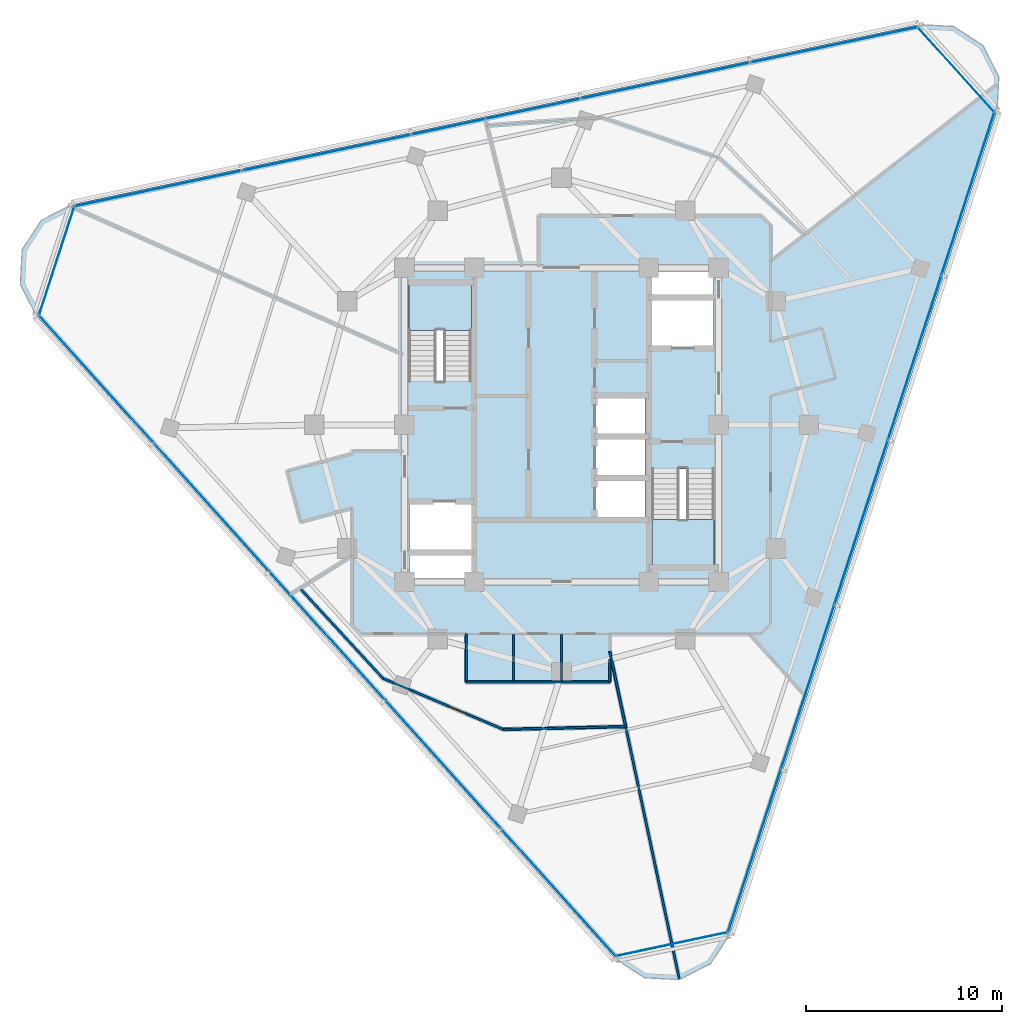
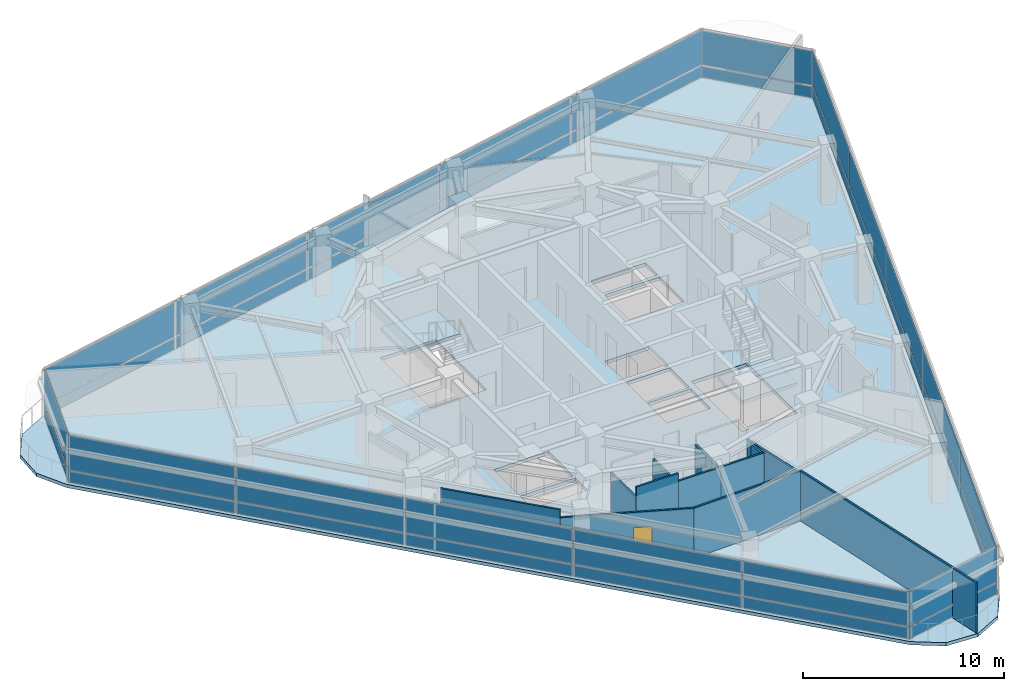
# One storey, part 7 of 15: 36 plates, 12 walls, 3 slabs, 1 door, 1 opening, 8 elements without a shape of their own.
"""IFC4 building model written with IfcOpenShell, lengths in metres."""

from ifc_helpers import new_model, si_unit, direction, frame, frame_2d, origin, origin_2d, place, context, subcontext, project, spatial, polyline, rectangle, outline, extrude, material, layer, layer_set, type_object, element, fill, aggregate, save


model = new_model("IFC4")

# Units and contexts
model_context = context("Model", 3, precision=1e-05, world=origin(), true_north=direction((0.0, 1.0)))
body_context = subcontext(model_context, "Body", "Model", "MODEL_VIEW")
ifc_project = project(units=[si_unit("LENGTHUNIT", "METRE"), si_unit("AREAUNIT", "SQUARE_METRE"), si_unit("VOLUMEUNIT", "CUBIC_METRE"), si_unit("PLANEANGLEUNIT", "RADIAN"), si_unit("MASSUNIT", "GRAM", prefix="KILO")], contexts=[model_context])

# Site, building, storey
site_placement = place(None, origin())
site = spatial("IfcSite", under=ifc_project, at=site_placement, CompositionType="ELEMENT")
building_placement = place(site_placement, origin())
building = spatial("IfcBuilding", under=site, at=building_placement, Name="Terralouvre Media Tower", CompositionType="ELEMENT")
storey_placement = place(building_placement, frame((0.0, 0.0, 283.199951171875)))
storey = spatial("IfcBuildingStorey", under=building, at=storey_placement, Name="L73", CompositionType="ELEMENT", Elevation=283.199951171875)

# Slab
ifc_material_1 = material(Name="Concrete C40/50", Category="concrete")
ifc_layer_1 = layer(ifc_material_1, 0.199951171875, Name="Composite Tower Floor Slab S-TYP200")
ifc_layer_set_1 = layer_set([ifc_layer_1], Name="Concrete C40/50")
slab_type_1 = type_object("IfcSlabType", Name="Composite Tower Floor Slab S-TYP200", PredefinedType="FLOOR", material=ifc_layer_set_1)
slab_1_placement = place(storey_placement, frame((0.0, 0.0, -0.199951171875), z_axis=(0.0, 0.0, 1.0), x_axis=(0.309016994375, 0.951056516295, 0.0)))
element("IfcSlab", 1, at=slab_1_placement, inside=storey, type_object=slab_type_1, Name="L73 Structural Floor Slab", PredefinedType="FLOOR", context=body_context, shape_type="SweptSolid", body=[
    extrude(outline(polyline([(-25.0390625, -11.016357421875), (-25.5, -12.736328125), (-25.0390625, -14.456298828125), (-23.780029296875, -15.715576171875), (-22.06005859375, -16.17626953125), (22.06005859375, -16.17626953125), (23.780029296875, -15.715576171875), (25.0390625, -14.456298828125), (25.5, -12.736328125), (25.0390625, -11.016357421875), (2.97900390625, 27.192626953125), (1.719970703125, 28.451904296875), (0.0, 28.91259765625), (-1.719970703125, 28.451904296875), (-2.97900390625, 27.192626953125), (-25.0390625, -11.016357421875)]), holes=[polyline([(-7.698486328125, 2.33544921875), (-8.839599609375, 1.964599609375), (-9.813232421875, 4.96044921875), (-8.671875, 5.3310546875), (-7.698486328125, 2.33544921875)]), polyline([(-5.17822265625, 3.154296875), (-7.50830078125, 2.397216796875), (-8.481689453125, 5.39306640625), (-6.151611328125, 6.150146484375), (-5.17822265625, 3.154296875)]), polyline([(-5.483154296875, -6.618408203125), (-0.713623046875, -5.068603515625), (0.26904296875, -8.093017578125), (-4.50048828125, -9.642578125), (-5.483154296875, -6.618408203125)]), polyline([(-1.33056640625, -4.901123046875), (-3.17578125, -5.50048828125), (-3.9482421875, -3.122802734375), (-2.103271484375, -2.5234375), (-1.33056640625, -4.901123046875)]), polyline([(0.66650390625, -4.252197265625), (-1.178466796875, -4.8515625), (-1.950927734375, -2.473876953125), (-0.10595703125, -1.87451171875), (0.66650390625, -4.252197265625)]), polyline([(2.663818359375, -3.603271484375), (0.81884765625, -4.20263671875), (0.046142578125, -1.824951171875), (1.891357421875, -1.2255859375), (2.663818359375, -3.603271484375)]), polyline([(5.483154296875, 6.618408203125), (0.713623046875, 5.068603515625), (-0.26904296875, 8.093017578125), (4.50048828125, 9.642578125), (5.483154296875, 6.618408203125)]), polyline([(6.151611328125, -6.150146484375), (5.17822265625, -3.154296875), (7.50830078125, -2.397216796875), (8.481689453125, -5.39306640625), (6.151611328125, -6.150146484375)]), polyline([(8.671875, -5.3310546875), (7.698486328125, -2.33544921875), (8.839599609375, -1.964599609375), (9.813232421875, -4.96044921875), (8.671875, -5.3310546875)])]), origin(), (0.0, 0.0, 1.0), 0.199951171875),
])

# Stair, slab
ifc_material_2 = material(Name="Concrete C45/55", Category="concrete")
stair_type_1 = type_object("IfcStairType", Name="Dogleg Stair Assembly ST-01", PredefinedType="HALF_TURN_STAIR", material=ifc_material_2)
stair_1_placement = place(storey_placement, origin())
stair_1 = element("IfcStair", 2, at=stair_1_placement, inside=storey, type_object=stair_type_1, Name="L73 Core Pressurised Exit Stair ST-01", PredefinedType="HALF_TURN_STAIR")
ifc_material_3 = material(Name="Concrete C45/55", Category="concrete")
ifc_layer_2 = layer(ifc_material_3, 0.199951171875, Name="Reinforced Concrete Stair Half-Landing SL-LD1")
ifc_layer_set_2 = layer_set([ifc_layer_2], Name="Concrete C45/55")
slab_type_2 = type_object("IfcSlabType", Name="Reinforced Concrete Stair Half-Landing SL-LD1", PredefinedType="LANDING", material=ifc_layer_set_2)
slab_2_placement = place(storey_placement, frame((0.0, 0.0, 1.650146484375)))
slab_2 = element("IfcSlab", 3, at=slab_2_placement, type_object=slab_type_2, Name="ST-01 landing 1", PredefinedType="LANDING", context=body_context, shape_type="SweptSolid", body=[
    extrude(outline(polyline([(-4.60009765625, 4.820068359375), (-4.60009765625, 7.260009765625), (-7.780029296875, 7.260009765625), (-7.780029296875, 4.820068359375), (-4.60009765625, 4.820068359375)])), origin(), (0.0, 0.0, 1.0), 0.199951171875),
])
aggregate(stair_1, [slab_2])

ifc_material_4 = material(Name="Concrete C45/55", Category="concrete")
stair_type_2 = type_object("IfcStairType", Name="Dogleg Stair Assembly ST-02", PredefinedType="HALF_TURN_STAIR", material=ifc_material_4)
stair_2_placement = place(storey_placement, origin())
stair_2 = element("IfcStair", 4, at=stair_2_placement, inside=storey, type_object=stair_type_2, Name="L73 Core Pressurised Exit Stair ST-02", PredefinedType="HALF_TURN_STAIR")
slab_3_placement = place(storey_placement, frame((0.0, 0.0, 1.650146484375)))
slab_3 = element("IfcSlab", 5, at=slab_3_placement, type_object=slab_type_2, Name="ST-02 landing 1", PredefinedType="LANDING", context=body_context, shape_type="SweptSolid", body=[
    extrude(outline(polyline([(4.60009765625, -4.820068359375), (4.60009765625, -7.260009765625), (7.780029296875, -7.260009765625), (7.780029296875, -4.820068359375), (4.60009765625, -4.820068359375)])), origin(), (0.0, 0.0, 1.0), 0.199951171875),
])
aggregate(stair_2, [slab_3])

# Curtain wall, plates
ifc_material_5 = material(Name="Low-iron laminated double glazing with solar-control coating", Category="glass")
ifc_layer_3 = layer(ifc_material_5, 0.1650390625, Name="Rounded Wind-Corner Curved Glazing CW-04")
ifc_layer_set_3 = layer_set([ifc_layer_3], Name="Low-iron laminated double glazing with solar-control coating")
curtain_wall_type_1 = type_object("IfcCurtainWallType", Name="Rounded Wind-Corner Curved Glazing CW-04", PredefinedType="NOTDEFINED", material=ifc_layer_set_3)
curtain_wall_1_placement = place(storey_placement, origin())
curtain_wall_1 = element("IfcCurtainWall", 6, at=curtain_wall_1_placement, inside=storey, type_object=curtain_wall_type_1, Name="L73 Rounded Wind-Corner Curtain Wall C0", PredefinedType="NOTDEFINED")
ifc_material_6 = material(Name="Low-iron laminated double glazing with solar-control coating", Category="glass")
ifc_layer_4 = layer(ifc_material_6, 0.0400390625, Name="Rounded Corner Laminated Vision Panel CWP-03")
ifc_layer_set_4 = layer_set([ifc_layer_4], Name="Low-iron laminated double glazing with solar-control coating")
plate_type_1 = type_object("IfcPlateType", Name="Rounded Corner Laminated Vision Panel CWP-03", PredefinedType="CURTAIN_PANEL", material=ifc_layer_set_4)
plate_1_placement = place(storey_placement, frame((5.62451171875, -26.46142578125, 0.074951171875), z_axis=(0.0, 0.0, 1.0), x_axis=(0.978147609922, 0.207911647592, 0.0)))
plate_1 = element("IfcPlate", 7, at=plate_1_placement, type_object=plate_type_1, Name="CW-04 panel 1.1", PredefinedType="CURTAIN_PANEL", context=body_context, shape_type="SweptSolid", body=[
    extrude(rectangle(XDim=5.808349609375, YDim=0.035888671875, at=origin_2d()), origin(), (0.0, 0.0, 1.0), 0.6875),
])
plate_2_placement = place(storey_placement, frame((5.62451171875, -26.46142578125, 0.837646484375), z_axis=(0.0, 0.0, 1.0), x_axis=(0.978147609922, 0.207911647592, 0.0)))
plate_2 = element("IfcPlate", 8, at=plate_2_placement, type_object=plate_type_1, Name="CW-04 panel 1.2", PredefinedType="CURTAIN_PANEL", context=body_context, shape_type="SweptSolid", body=[
    extrude(rectangle(XDim=5.808349609375, YDim=0.035888671875, at=origin_2d()), origin(), (0.0, 0.0, 1.0), 2.08740234375),
])
aggregate(curtain_wall_1, [plate_1, plate_2])

curtain_wall_2_placement = place(storey_placement, origin())
curtain_wall_2 = element("IfcCurtainWall", 9, at=curtain_wall_2_placement, inside=storey, type_object=curtain_wall_type_1, Name="L73 Rounded Wind-Corner Curtain Wall C1", PredefinedType="NOTDEFINED")
plate_3_placement = place(storey_placement, frame((20.10400390625, 18.101806640625, 0.074951171875), z_axis=(0.0, 0.0, 1.0), x_axis=(-0.669130231192, 0.743145163279, 0.0)))
plate_3 = element("IfcPlate", 10, at=plate_3_placement, type_object=plate_type_1, Name="CW-04 panel 1.1", PredefinedType="CURTAIN_PANEL", context=body_context, shape_type="SweptSolid", body=[
    extrude(rectangle(XDim=5.808349609375, YDim=0.035888671875, at=origin_2d()), origin(), (0.0, 0.0, 1.0), 0.6875),
])
plate_4_placement = place(storey_placement, frame((20.10400390625, 18.101806640625, 0.837646484375), z_axis=(0.0, 0.0, 1.0), x_axis=(-0.669130231192, 0.743145163279, 0.0)))
plate_4 = element("IfcPlate", 11, at=plate_4_placement, type_object=plate_type_1, Name="CW-04 panel 1.2", PredefinedType="CURTAIN_PANEL", context=body_context, shape_type="SweptSolid", body=[
    extrude(rectangle(XDim=5.808349609375, YDim=0.035888671875, at=origin_2d()), origin(), (0.0, 0.0, 1.0), 2.08740234375),
])
aggregate(curtain_wall_2, [plate_3, plate_4])

curtain_wall_3_placement = place(storey_placement, origin())
curtain_wall_3 = element("IfcCurtainWall", 12, at=curtain_wall_3_placement, inside=storey, type_object=curtain_wall_type_1, Name="L73 Rounded Wind-Corner Curtain Wall C2", PredefinedType="NOTDEFINED")
plate_5_placement = place(storey_placement, frame((-25.728759765625, 8.359619140625, 0.074951171875), z_axis=(0.0, 0.0, 1.0), x_axis=(-0.30901654693, -0.951056661679, 0.0)))
plate_5 = element("IfcPlate", 13, at=plate_5_placement, type_object=plate_type_1, Name="CW-04 panel 1.1", PredefinedType="CURTAIN_PANEL", context=body_context, shape_type="SweptSolid", body=[
    extrude(rectangle(XDim=5.808349609375, YDim=0.035888671875, at=origin_2d()), origin(), (0.0, 0.0, 1.0), 0.6875),
])
plate_6_placement = place(storey_placement, frame((-25.728759765625, 8.359619140625, 0.837646484375), z_axis=(0.0, 0.0, 1.0), x_axis=(-0.30901654693, -0.951056661679, 0.0)))
plate_6 = element("IfcPlate", 14, at=plate_6_placement, type_object=plate_type_1, Name="CW-04 panel 1.2", PredefinedType="CURTAIN_PANEL", context=body_context, shape_type="SweptSolid", body=[
    extrude(rectangle(XDim=5.808349609375, YDim=0.035888671875, at=origin_2d()), origin(), (0.0, 0.0, 1.0), 2.08740234375),
])
aggregate(curtain_wall_3, [plate_5, plate_6])

ifc_material_7 = material(Name="Low-iron laminated double glazing with solar-control coating", Category="glass")
ifc_layer_5 = layer(ifc_material_7, 0.1650390625, Name="Faceted Glass-Point Crown Curtain Wall CW-06")
ifc_layer_set_5 = layer_set([ifc_layer_5], Name="Low-iron laminated double glazing with solar-control coating")
curtain_wall_type_2 = type_object("IfcCurtainWallType", Name="Faceted Glass-Point Crown Curtain Wall CW-06", PredefinedType="NOTDEFINED", material=ifc_layer_set_5)
curtain_wall_4_placement = place(storey_placement, origin())
curtain_wall_4 = element("IfcCurtainWall", 15, at=curtain_wall_4_placement, inside=storey, type_object=curtain_wall_type_2, Name="L73 Facade Curtain Wall F0", PredefinedType="NOTDEFINED")
ifc_material_8 = material(Name="Low-iron laminated double glazing with solar-control coating", Category="glass")
ifc_layer_6 = layer(ifc_material_8, 0.035888671875, Name="Vision Double-Glazed Unit CWP-01")
ifc_layer_set_6 = layer_set([ifc_layer_6], Name="Low-iron laminated double glazing with solar-control coating")
plate_type_2 = type_object("IfcPlateType", Name="Vision Double-Glazed Unit CWP-01", PredefinedType="CURTAIN_PANEL", material=ifc_layer_set_6)
plate_7_placement = place(storey_placement, frame((9.82275390625, -21.72802734375, 0.074951171875), z_axis=(0.0, 0.0, 1.0), x_axis=(0.309017021946, 0.951056507337, 0.0)))
plate_7 = element("IfcPlate", 16, at=plate_7_placement, type_object=plate_type_2, Name="CW-06 panel 1.1", PredefinedType="CURTAIN_PANEL", context=body_context, shape_type="SweptSolid", body=[
    extrude(rectangle(XDim=8.71142578125, YDim=0.035888671875, at=origin_2d()), origin(), (0.0, 0.0, 1.0), 0.6875),
])
plate_8_placement = place(storey_placement, frame((9.82275390625, -21.72802734375, 0.837646484375), z_axis=(0.0, 0.0, 1.0), x_axis=(0.309017021946, 0.951056507337, 0.0)))
plate_8 = element("IfcPlate", 17, at=plate_8_placement, type_object=plate_type_2, Name="CW-06 panel 1.2", PredefinedType="CURTAIN_PANEL", context=body_context, shape_type="SweptSolid", body=[
    extrude(rectangle(XDim=8.71142578125, YDim=0.035888671875, at=origin_2d()), origin(), (0.0, 0.0, 1.0), 2.08740234375),
])
plate_9_placement = place(storey_placement, frame((12.543701171875, -13.353759765625, 0.074951171875), z_axis=(0.0, 0.0, 1.0), x_axis=(0.309017021946, 0.951056507337, 0.0)))
plate_9 = element("IfcPlate", 18, at=plate_9_placement, type_object=plate_type_2, Name="CW-06 panel 2.1", PredefinedType="CURTAIN_PANEL", context=body_context, shape_type="SweptSolid", body=[
    extrude(rectangle(XDim=8.7490234375, YDim=0.035888671875, at=origin_2d()), origin(), (0.0, 0.0, 1.0), 0.6875),
])
plate_10_placement = place(storey_placement, frame((12.543701171875, -13.353759765625, 0.837646484375), z_axis=(0.0, 0.0, 1.0), x_axis=(0.309017021946, 0.951056507337, 0.0)))
plate_10 = element("IfcPlate", 19, at=plate_10_placement, type_object=plate_type_2, Name="CW-06 panel 2.2", PredefinedType="CURTAIN_PANEL", context=body_context, shape_type="SweptSolid", body=[
    extrude(rectangle(XDim=8.7490234375, YDim=0.035888671875, at=origin_2d()), origin(), (0.0, 0.0, 1.0), 2.08740234375),
])
plate_11_placement = place(storey_placement, frame((15.2705078125, -4.961669921875, 0.074951171875), z_axis=(0.0, 0.0, 1.0), x_axis=(0.309017021946, 0.951056507337, 0.0)))
plate_11 = element("IfcPlate", 20, at=plate_11_placement, type_object=plate_type_2, Name="CW-06 panel 3.1", PredefinedType="CURTAIN_PANEL", context=body_context, shape_type="SweptSolid", body=[
    extrude(rectangle(XDim=8.7490234375, YDim=0.035888671875, at=origin_2d()), origin(), (0.0, 0.0, 1.0), 0.6875),
])
plate_12_placement = place(storey_placement, frame((15.2705078125, -4.961669921875, 0.837646484375), z_axis=(0.0, 0.0, 1.0), x_axis=(0.309017021946, 0.951056507337, 0.0)))
plate_12 = element("IfcPlate", 21, at=plate_12_placement, type_object=plate_type_2, Name="CW-06 panel 3.2", PredefinedType="CURTAIN_PANEL", context=body_context, shape_type="SweptSolid", body=[
    extrude(rectangle(XDim=8.7490234375, YDim=0.035888671875, at=origin_2d()), origin(), (0.0, 0.0, 1.0), 2.08740234375),
])
plate_13_placement = place(storey_placement, frame((17.997314453125, 3.430419921875, 0.074951171875), z_axis=(0.0, 0.0, 1.0), x_axis=(0.309017021946, 0.951056507337, 0.0)))
plate_13 = element("IfcPlate", 22, at=plate_13_placement, type_object=plate_type_2, Name="CW-06 panel 4.1", PredefinedType="CURTAIN_PANEL", context=body_context, shape_type="SweptSolid", body=[
    extrude(rectangle(XDim=8.7490234375, YDim=0.035888671875, at=origin_2d()), origin(), (0.0, 0.0, 1.0), 0.6875),
])
plate_14_placement = place(storey_placement, frame((17.997314453125, 3.430419921875, 0.837646484375), z_axis=(0.0, 0.0, 1.0), x_axis=(0.309017021946, 0.951056507337, 0.0)))
plate_14 = element("IfcPlate", 23, at=plate_14_placement, type_object=plate_type_2, Name="CW-06 panel 4.2", PredefinedType="CURTAIN_PANEL", context=body_context, shape_type="SweptSolid", body=[
    extrude(rectangle(XDim=8.7490234375, YDim=0.035888671875, at=origin_2d()), origin(), (0.0, 0.0, 1.0), 2.08740234375),
])
plate_15_placement = place(storey_placement, frame((20.71826171875, 11.8046875, 0.074951171875), z_axis=(0.0, 0.0, 1.0), x_axis=(0.309017021946, 0.951056507337, 0.0)))
plate_15 = element("IfcPlate", 24, at=plate_15_placement, type_object=plate_type_2, Name="CW-06 panel 5.1", PredefinedType="CURTAIN_PANEL", context=body_context, shape_type="SweptSolid", body=[
    extrude(rectangle(XDim=8.71142578125, YDim=0.035888671875, at=origin_2d()), origin(), (0.0, 0.0, 1.0), 0.6875),
])
plate_16_placement = place(storey_placement, frame((20.71826171875, 11.8046875, 0.837646484375), z_axis=(0.0, 0.0, 1.0), x_axis=(0.309017021946, 0.951056507337, 0.0)))
plate_16 = element("IfcPlate", 25, at=plate_16_placement, type_object=plate_type_2, Name="CW-06 panel 5.2", PredefinedType="CURTAIN_PANEL", context=body_context, shape_type="SweptSolid", body=[
    extrude(rectangle(XDim=8.71142578125, YDim=0.035888671875, at=origin_2d()), origin(), (0.0, 0.0, 1.0), 2.08740234375),
])
aggregate(curtain_wall_4, [plate_7, plate_8, plate_9, plate_10, plate_11, plate_12, plate_13, plate_14, plate_15, plate_16])

curtain_wall_5_placement = place(storey_placement, origin())
curtain_wall_5 = element("IfcCurtainWall", 26, at=curtain_wall_5_placement, inside=storey, type_object=curtain_wall_type_2, Name="L73 Facade Curtain Wall F1", PredefinedType="NOTDEFINED")
plate_17_placement = place(storey_placement, frame((13.90576171875, 19.370849609375, 0.074951171875), z_axis=(0.0, 0.0, 1.0), x_axis=(-0.978147616145, -0.207911618313, 0.0)))
plate_17 = element("IfcPlate", 27, at=plate_17_placement, type_object=plate_type_2, Name="CW-06 panel 1.1", PredefinedType="CURTAIN_PANEL", context=body_context, shape_type="SweptSolid", body=[
    extrude(rectangle(XDim=8.71142578125, YDim=0.035888671875, at=origin_2d()), origin(), (0.0, 0.0, 1.0), 0.6875),
])
plate_18_placement = place(storey_placement, frame((13.90576171875, 19.370849609375, 0.837646484375), z_axis=(0.0, 0.0, 1.0), x_axis=(-0.978147616145, -0.207911618313, 0.0)))
plate_18 = element("IfcPlate", 28, at=plate_18_placement, type_object=plate_type_2, Name="CW-06 panel 1.2", PredefinedType="CURTAIN_PANEL", context=body_context, shape_type="SweptSolid", body=[
    extrude(rectangle(XDim=8.71142578125, YDim=0.035888671875, at=origin_2d()), origin(), (0.0, 0.0, 1.0), 2.08740234375),
])
plate_19_placement = place(storey_placement, frame((5.29296875, 17.5400390625, 0.074951171875), z_axis=(0.0, 0.0, 1.0), x_axis=(-0.978147616145, -0.207911618313, 0.0)))
plate_19 = element("IfcPlate", 29, at=plate_19_placement, type_object=plate_type_2, Name="CW-06 panel 2.1", PredefinedType="CURTAIN_PANEL", context=body_context, shape_type="SweptSolid", body=[
    extrude(rectangle(XDim=8.7490234375, YDim=0.035888671875, at=origin_2d()), origin(), (0.0, 0.0, 1.0), 0.6875),
])
plate_20_placement = place(storey_placement, frame((5.29296875, 17.5400390625, 0.837646484375), z_axis=(0.0, 0.0, 1.0), x_axis=(-0.978147616145, -0.207911618313, 0.0)))
plate_20 = element("IfcPlate", 30, at=plate_20_placement, type_object=plate_type_2, Name="CW-06 panel 2.2", PredefinedType="CURTAIN_PANEL", context=body_context, shape_type="SweptSolid", body=[
    extrude(rectangle(XDim=8.7490234375, YDim=0.035888671875, at=origin_2d()), origin(), (0.0, 0.0, 1.0), 2.08740234375),
])
plate_21_placement = place(storey_placement, frame((-3.33837890625, 15.70556640625, 0.074951171875), z_axis=(0.0, 0.0, 1.0), x_axis=(-0.978147616145, -0.207911618313, 0.0)))
plate_21 = element("IfcPlate", 31, at=plate_21_placement, type_object=plate_type_2, Name="CW-06 panel 3.1", PredefinedType="CURTAIN_PANEL", context=body_context, shape_type="SweptSolid", body=[
    extrude(rectangle(XDim=8.7490234375, YDim=0.035888671875, at=origin_2d()), origin(), (0.0, 0.0, 1.0), 0.6875),
])
plate_22_placement = place(storey_placement, frame((-3.33837890625, 15.70556640625, 0.837646484375), z_axis=(0.0, 0.0, 1.0), x_axis=(-0.978147616145, -0.207911618313, 0.0)))
plate_22 = element("IfcPlate", 32, at=plate_22_placement, type_object=plate_type_2, Name="CW-06 panel 3.2", PredefinedType="CURTAIN_PANEL", context=body_context, shape_type="SweptSolid", body=[
    extrude(rectangle(XDim=8.7490234375, YDim=0.035888671875, at=origin_2d()), origin(), (0.0, 0.0, 1.0), 2.08740234375),
])
plate_23_placement = place(storey_placement, frame((-11.969482421875, 13.870849609375, 0.074951171875), z_axis=(0.0, 0.0, 1.0), x_axis=(-0.978147616145, -0.207911618313, 0.0)))
plate_23 = element("IfcPlate", 33, at=plate_23_placement, type_object=plate_type_2, Name="CW-06 panel 4.1", PredefinedType="CURTAIN_PANEL", context=body_context, shape_type="SweptSolid", body=[
    extrude(rectangle(XDim=8.7490234375, YDim=0.035888671875, at=origin_2d()), origin(), (0.0, 0.0, 1.0), 0.6875),
])
plate_24_placement = place(storey_placement, frame((-11.969482421875, 13.870849609375, 0.837646484375), z_axis=(0.0, 0.0, 1.0), x_axis=(-0.978147616145, -0.207911618313, 0.0)))
plate_24 = element("IfcPlate", 34, at=plate_24_placement, type_object=plate_type_2, Name="CW-06 panel 4.2", PredefinedType="CURTAIN_PANEL", context=body_context, shape_type="SweptSolid", body=[
    extrude(rectangle(XDim=8.7490234375, YDim=0.035888671875, at=origin_2d()), origin(), (0.0, 0.0, 1.0), 2.08740234375),
])
plate_25_placement = place(storey_placement, frame((-20.582275390625, 12.0400390625, 0.074951171875), z_axis=(0.0, 0.0, 1.0), x_axis=(-0.978147616145, -0.207911618313, 0.0)))
plate_25 = element("IfcPlate", 35, at=plate_25_placement, type_object=plate_type_2, Name="CW-06 panel 5.1", PredefinedType="CURTAIN_PANEL", context=body_context, shape_type="SweptSolid", body=[
    extrude(rectangle(XDim=8.71142578125, YDim=0.035888671875, at=origin_2d()), origin(), (0.0, 0.0, 1.0), 0.6875),
])
plate_26_placement = place(storey_placement, frame((-20.582275390625, 12.0400390625, 0.837646484375), z_axis=(0.0, 0.0, 1.0), x_axis=(-0.978147616145, -0.207911618313, 0.0)))
plate_26 = element("IfcPlate", 36, at=plate_26_placement, type_object=plate_type_2, Name="CW-06 panel 5.2", PredefinedType="CURTAIN_PANEL", context=body_context, shape_type="SweptSolid", body=[
    extrude(rectangle(XDim=8.71142578125, YDim=0.035888671875, at=origin_2d()), origin(), (0.0, 0.0, 1.0), 2.08740234375),
])
aggregate(curtain_wall_5, [plate_17, plate_18, plate_19, plate_20, plate_21, plate_22, plate_23, plate_24, plate_25, plate_26])

curtain_wall_6_placement = place(storey_placement, origin())
curtain_wall_6 = element("IfcCurtainWall", 37, at=curtain_wall_6_placement, inside=storey, type_object=curtain_wall_type_2, Name="L73 Facade Curtain Wall F2", PredefinedType="NOTDEFINED")
plate_27_placement = place(storey_placement, frame((-23.728515625, 2.357177734375, 0.074951171875), z_axis=(0.0, 0.0, 1.0), x_axis=(0.669130573531, -0.743144855036, 0.0)))
plate_27 = element("IfcPlate", 38, at=plate_27_placement, type_object=plate_type_2, Name="CW-06 panel 1.1", PredefinedType="CURTAIN_PANEL", context=body_context, shape_type="SweptSolid", body=[
    extrude(rectangle(XDim=8.71142578125, YDim=0.035888671875, at=origin_2d()), origin(), (0.0, 0.0, 1.0), 0.6875),
])
plate_28_placement = place(storey_placement, frame((-23.728515625, 2.357177734375, 0.837646484375), z_axis=(0.0, 0.0, 1.0), x_axis=(0.669130573531, -0.743144855036, 0.0)))
plate_28 = element("IfcPlate", 39, at=plate_28_placement, type_object=plate_type_2, Name="CW-06 panel 1.2", PredefinedType="CURTAIN_PANEL", context=body_context, shape_type="SweptSolid", body=[
    extrude(rectangle(XDim=8.71142578125, YDim=0.035888671875, at=origin_2d()), origin(), (0.0, 0.0, 1.0), 2.08740234375),
])
plate_29_placement = place(storey_placement, frame((-17.836669921875, -4.186279296875, 0.074951171875), z_axis=(0.0, 0.0, 1.0), x_axis=(0.669130573531, -0.743144855036, 0.0)))
plate_29 = element("IfcPlate", 40, at=plate_29_placement, type_object=plate_type_2, Name="CW-06 panel 2.1", PredefinedType="CURTAIN_PANEL", context=body_context, shape_type="SweptSolid", body=[
    extrude(rectangle(XDim=8.7490234375, YDim=0.035888671875, at=origin_2d()), origin(), (0.0, 0.0, 1.0), 0.6875),
])
plate_30_placement = place(storey_placement, frame((-17.836669921875, -4.186279296875, 0.837646484375), z_axis=(0.0, 0.0, 1.0), x_axis=(0.669130573531, -0.743144855036, 0.0)))
plate_30 = element("IfcPlate", 41, at=plate_30_placement, type_object=plate_type_2, Name="CW-06 panel 2.2", PredefinedType="CURTAIN_PANEL", context=body_context, shape_type="SweptSolid", body=[
    extrude(rectangle(XDim=8.7490234375, YDim=0.035888671875, at=origin_2d()), origin(), (0.0, 0.0, 1.0), 2.08740234375),
])
plate_31_placement = place(storey_placement, frame((-11.93212890625, -10.743896484375, 0.074951171875), z_axis=(0.0, 0.0, 1.0), x_axis=(0.669130573531, -0.743144855036, 0.0)))
plate_31 = element("IfcPlate", 42, at=plate_31_placement, type_object=plate_type_2, Name="CW-06 panel 3.1", PredefinedType="CURTAIN_PANEL", context=body_context, shape_type="SweptSolid", body=[
    extrude(rectangle(XDim=8.7490234375, YDim=0.035888671875, at=origin_2d()), origin(), (0.0, 0.0, 1.0), 0.6875),
])
plate_32_placement = place(storey_placement, frame((-11.93212890625, -10.743896484375, 0.837646484375), z_axis=(0.0, 0.0, 1.0), x_axis=(0.669130573531, -0.743144855036, 0.0)))
plate_32 = element("IfcPlate", 43, at=plate_32_placement, type_object=plate_type_2, Name="CW-06 panel 3.2", PredefinedType="CURTAIN_PANEL", context=body_context, shape_type="SweptSolid", body=[
    extrude(rectangle(XDim=8.7490234375, YDim=0.035888671875, at=origin_2d()), origin(), (0.0, 0.0, 1.0), 2.08740234375),
])
plate_33_placement = place(storey_placement, frame((-6.02783203125, -17.30126953125, 0.074951171875), z_axis=(0.0, 0.0, 1.0), x_axis=(0.669130573531, -0.743144855036, 0.0)))
plate_33 = element("IfcPlate", 44, at=plate_33_placement, type_object=plate_type_2, Name="CW-06 panel 4.1", PredefinedType="CURTAIN_PANEL", context=body_context, shape_type="SweptSolid", body=[
    extrude(rectangle(XDim=8.7490234375, YDim=0.035888671875, at=origin_2d()), origin(), (0.0, 0.0, 1.0), 0.6875),
])
plate_34_placement = place(storey_placement, frame((-6.02783203125, -17.30126953125, 0.837646484375), z_axis=(0.0, 0.0, 1.0), x_axis=(0.669130573531, -0.743144855036, 0.0)))
plate_34 = element("IfcPlate", 45, at=plate_34_placement, type_object=plate_type_2, Name="CW-06 panel 4.2", PredefinedType="CURTAIN_PANEL", context=body_context, shape_type="SweptSolid", body=[
    extrude(rectangle(XDim=8.7490234375, YDim=0.035888671875, at=origin_2d()), origin(), (0.0, 0.0, 1.0), 2.08740234375),
])
plate_35_placement = place(storey_placement, frame((-0.135986328125, -23.844970703125, 0.074951171875), z_axis=(0.0, 0.0, 1.0), x_axis=(0.669130573531, -0.743144855036, 0.0)))
plate_35 = element("IfcPlate", 46, at=plate_35_placement, type_object=plate_type_2, Name="CW-06 panel 5.1", PredefinedType="CURTAIN_PANEL", context=body_context, shape_type="SweptSolid", body=[
    extrude(rectangle(XDim=8.71142578125, YDim=0.035888671875, at=origin_2d()), origin(), (0.0, 0.0, 1.0), 0.6875),
])
plate_36_placement = place(storey_placement, frame((-0.135986328125, -23.844970703125, 0.837646484375), z_axis=(0.0, 0.0, 1.0), x_axis=(0.669130573531, -0.743144855036, 0.0)))
plate_36 = element("IfcPlate", 47, at=plate_36_placement, type_object=plate_type_2, Name="CW-06 panel 5.2", PredefinedType="CURTAIN_PANEL", context=body_context, shape_type="SweptSolid", body=[
    extrude(rectangle(XDim=8.71142578125, YDim=0.035888671875, at=origin_2d()), origin(), (0.0, 0.0, 1.0), 2.08740234375),
])
aggregate(curtain_wall_6, [plate_27, plate_28, plate_29, plate_30, plate_31, plate_32, plate_33, plate_34, plate_35, plate_36])

# Walls
ifc_material_9 = material(Name="Low-iron laminated double glazing with solar-control coating", Category="glass")
ifc_layer_7 = layer(ifc_material_9, 0.10009765625, Name="Demountable Glazed Office Partition PT-GL100")
ifc_layer_set_7 = layer_set([ifc_layer_7], Name="Low-iron laminated double glazing with solar-control coating")
wall_type_1 = type_object("IfcWallType", Name="Demountable Glazed Office Partition PT-GL100", PredefinedType="MOVABLE", material=ifc_layer_set_7)
wall_1_placement = place(storey_placement, frame((-2.449951171875, -13.10009765625, 0.0), z_axis=(0.0, 0.0, 1.0), x_axis=(-1.0, 0.0, 0.0)))
element("IfcWall", 48, at=wall_1_placement, inside=storey, type_object=wall_type_1, Name="L73 Interior Partition 030", PredefinedType="MOVABLE", context=body_context, shape_type="SweptSolid", body=[
    extrude(rectangle(XDim=2.400146484375, YDim=0.10009765625, at=frame_2d((1.2001953125, 0.0))), origin(), (0.0, 0.0, 1.0), 3.5),
])
wall_2_placement = place(storey_placement, frame((-4.85009765625, -13.10009765625, 0.0), z_axis=(0.0, 0.0, 1.0), x_axis=(0.0, 1.0, 0.0)))
element("IfcWall", 49, at=wall_2_placement, inside=storey, type_object=wall_type_1, Name="L73 Interior Partition 031", PredefinedType="MOVABLE", context=body_context, shape_type="SweptSolid", body=[
    extrude(rectangle(XDim=2.4501953125, YDim=0.10009765625, at=frame_2d((1.22509765625, 0.0))), origin(), (0.0, 0.0, 1.0), 2.885009765625),
])
wall_3_placement = place(storey_placement, frame((0.0, -13.10009765625, 0.0), z_axis=(0.0, 0.0, 1.0), x_axis=(-1.0, 0.0, 0.0)))
element("IfcWall", 50, at=wall_3_placement, inside=storey, type_object=wall_type_1, Name="L73 Interior Partition 032", PredefinedType="MOVABLE", context=body_context, shape_type="SweptSolid", body=[
    extrude(rectangle(XDim=2.449951171875, YDim=0.10009765625, at=frame_2d((1.22509765625, 0.0))), origin(), (0.0, 0.0, 1.0), 3.03515625),
])
wall_4_placement = place(storey_placement, frame((-13.3291015625, -8.3291015625, 0.0), z_axis=(0.0, 0.0, 1.0), x_axis=(0.677841155448, -0.735208384052, 0.0)))
element("IfcWall", 51, at=wall_4_placement, inside=storey, type_object=wall_type_1, Name="L73 Interior Partition 033", PredefinedType="MOVABLE", context=body_context, shape_type="SweptSolid", body=[
    extrude(rectangle(XDim=6.239013671875, YDim=0.10009765625, at=frame_2d((3.11962890625, 0.0))), origin(), (0.0, 0.0, 1.0), 3.5),
])

# Wall, opening, door
wall_5_placement = place(storey_placement, frame((-9.10009765625, -12.916015625, 0.0), z_axis=(0.0, 0.0, 1.0), x_axis=(0.920506675175, -0.390726836752, 0.0)))
wall_5 = element("IfcWall", 52, at=wall_5_placement, inside=storey, type_object=wall_type_1, Name="L73 Interior Partition 034", PredefinedType="MOVABLE", context=body_context, shape_type="SweptSolid", body=[
    extrude(rectangle(XDim=6.659423828125, YDim=0.10009765625, at=frame_2d((3.32958984375, 0.0))), origin(), (0.0, 0.0, 1.0), 3.03515625),
])
opening_placement = place(wall_5_placement, frame((3.668701171875, 0.0, 0.0)))
opening = element("IfcOpeningElement", 53, at=opening_placement, cuts=wall_5, Name="Opening ID-03-92X210", PredefinedType="OPENING", context=body_context, shape_type="SweptSolid", body=[
    extrude(rectangle(XDim=0.919921875, YDim=2.10009765625, at=frame_2d((0.4599609375, 1.050048828125))), frame((0.0, 0.06005859375, 0.0), z_axis=(0.0, -1.0, 0.0), x_axis=(1.0, 0.0, 0.0)), (0.0, 0.0, 1.0), 0.1201171875),
])
ifc_material_10 = material(Name="Engineered hardwood acoustic timber leaf", Category="wood")
door_type = type_object("IfcDoorType", Name="Accessible Restroom and Suite Door ID-03 (920x2100)", OperationType="NOTDEFINED", PredefinedType="DOOR", material=ifc_material_10)
door_placement = place(opening_placement, origin())
door = element("IfcDoor", 54, at=door_placement, inside=storey, type_object=door_type, Name="L73 Broadcast Ethics Seminar Room 4 Door", OperationType="SINGLE_SWING_LEFT", OverallHeight=2.10009765625, OverallWidth=0.919921875, PredefinedType="DOOR", context=body_context, shape_type="SweptSolid", body=[
    extrude(rectangle(XDim=0.919921875, YDim=2.10009765625, at=frame_2d((0.4599609375, 1.050048828125))), frame((0.0, 0.02490234375, 0.0), z_axis=(0.0, -1.0, 0.0), x_axis=(1.0, 0.0, 0.0)), (0.0, 0.0, 1.0), 0.050048828125),
])
fill(opening, door)

# Walls
wall_6_placement = place(storey_placement, frame((-2.969970703125, -15.51806640625, 0.0), z_axis=(0.0, 0.0, 1.0), x_axis=(0.99972988351, 0.023241342836, 0.0)))
element("IfcWall", 55, at=wall_6_placement, inside=storey, type_object=wall_type_1, Name="L73 Interior Partition 035", PredefinedType="MOVABLE", context=body_context, shape_type="SweptSolid", body=[
    extrude(rectangle(XDim=6.23974609375, YDim=0.10009765625, at=frame_2d((3.119873046875, 0.0))), origin(), (0.0, 0.0, 1.0), 3.03515625),
])
wall_7_placement = place(storey_placement, frame((2.449951171875, -11.9345703125, 0.0), z_axis=(0.0, 0.0, 1.0), x_axis=(0.0, -1.0, 0.0)))
element("IfcWall", 56, at=wall_7_placement, inside=storey, type_object=wall_type_1, Name="L73 Interior Partition 036", PredefinedType="MOVABLE", context=body_context, shape_type="SweptSolid", body=[
    extrude(rectangle(XDim=1.16552734375, YDim=0.10009765625, at=frame_2d((0.582763671875, 0.0))), origin(), (0.0, 0.0, 1.0), 2.885009765625),
])
wall_8_placement = place(storey_placement, frame((2.449951171875, -13.10009765625, 0.0), z_axis=(0.0, 0.0, 1.0), x_axis=(-1.0, 0.0, 0.0)))
element("IfcWall", 57, at=wall_8_placement, inside=storey, type_object=wall_type_1, Name="L73 Interior Partition 037", PredefinedType="MOVABLE", context=body_context, shape_type="SweptSolid", body=[
    extrude(rectangle(XDim=2.449951171875, YDim=0.10009765625, at=frame_2d((1.22509765625, 0.0))), origin(), (0.0, 0.0, 1.0), 3.03515625),
])
wall_9_placement = place(storey_placement, frame((3.26806640625, -15.373046875, 0.0), z_axis=(0.0, 0.0, 1.0), x_axis=(-0.208002774368, 0.978128235895, 0.0)))
element("IfcWall", 58, at=wall_9_placement, inside=storey, type_object=wall_type_1, Name="L73 Interior Partition 038", PredefinedType="MOVABLE", context=body_context, shape_type="SweptSolid", body=[
    extrude(rectangle(XDim=3.93310546875, YDim=0.10009765625, at=frame_2d((1.966552734375, 0.0))), origin(), (0.0, 0.0, 1.0), 2.885009765625),
])
wall_10_placement = place(storey_placement, frame((5.99365234375, -28.19970703125, 0.0), z_axis=(0.0, 0.0, 1.0), x_axis=(-0.20785296635, 0.978160081162, 0.0)))
element("IfcWall", 59, at=wall_10_placement, inside=storey, type_object=wall_type_1, Name="L73 Interior Partition 041", PredefinedType="MOVABLE", context=body_context, shape_type="SweptSolid", body=[
    extrude(rectangle(XDim=13.113037109375, YDim=0.10009765625, at=frame_2d((6.556640625, 0.0))), origin(), (0.0, 0.0, 1.0), 3.03515625),
])
ifc_material_11 = material(Name="Fire-rated gypsum board drywall partition")
ifc_layer_8 = layer(ifc_material_11, 0.114990234375, Name="Restroom and Pantry Partition PT-115")
ifc_layer_set_8 = layer_set([ifc_layer_8], Name="Fire-rated gypsum board drywall partition")
wall_type_2 = type_object("IfcWallType", Name="Restroom and Pantry Partition PT-115", PredefinedType="PARTITIONING", material=ifc_layer_set_8)
for number, where, z_axis, x_axis, name in (
    (60, (-2.449951171875, -13.10009765625, 0.0), (0.0, 0.0, 1.0), (0.0, 1.0, 0.0), "L73 Interior Partition 039"),
    (61, (0.0, -13.10009765625, 0.0), (0.0, 0.0, 1.0), (0.0, 1.0, 0.0), "L73 Interior Partition 040"),
):
    element("IfcWall", number, at=place(storey_placement, frame(where, z_axis=z_axis, x_axis=x_axis)), inside=storey, type_object=wall_type_2, Name=name, PredefinedType="PARTITIONING", context=body_context, shape_type="SweptSolid", body=[
        extrude(rectangle(XDim=2.4501953125, YDim=0.114990234375, at=frame_2d((1.22509765625, 0.0))), origin(), (0.0, 0.0, 1.0), 2.885009765625),
    ])

save(model, "model.ifc")
